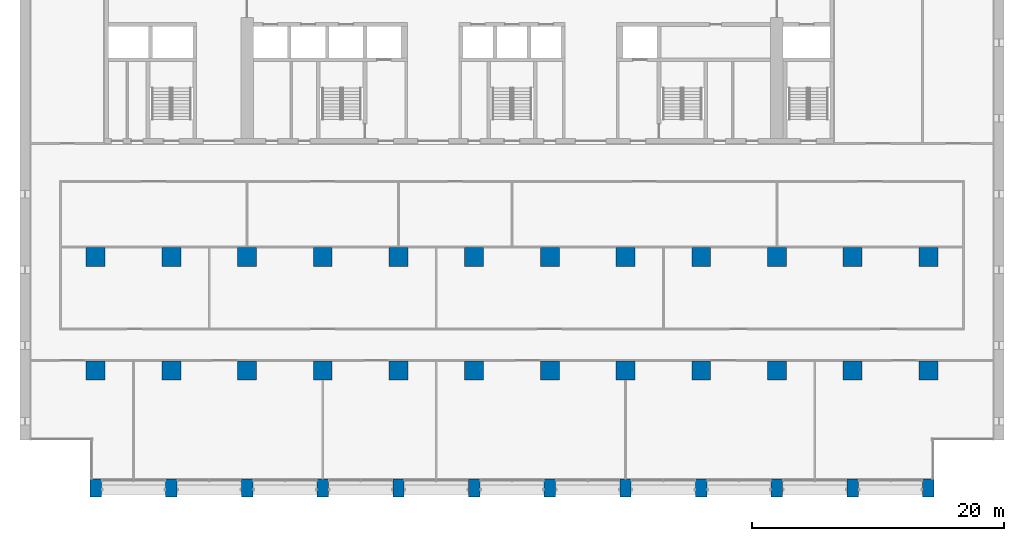
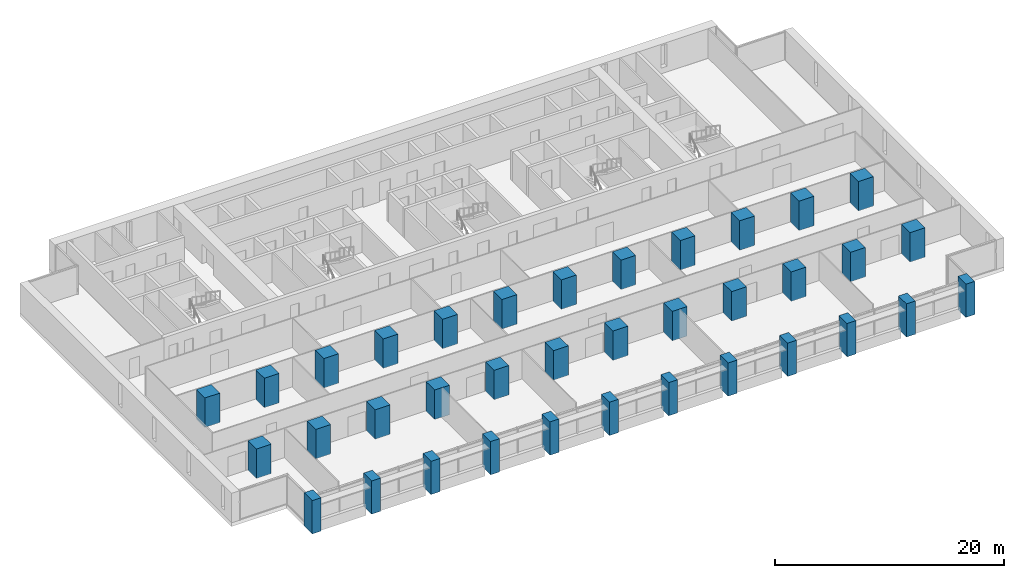
# One storey, part 1 of 18: 36 columns.
"""IFC4 building model written with IfcOpenShell, lengths in metres."""

from ifc_helpers import new_model, si_unit, direction, frame, origin, origin_2d, place, context, subcontext, project, spatial, rectangle, extrude, material, material_profile, profile_set, type_object, element, save


model = new_model("IFC4")

# Units and contexts
model_context = context("Model", 3, precision=1e-05, world=origin(), true_north=direction((0.0, 1.0)))
body_context = subcontext(model_context, "Body", "Model", "MODEL_VIEW")
ifc_project = project(units=[si_unit("LENGTHUNIT", "METRE"), si_unit("AREAUNIT", "SQUARE_METRE"), si_unit("VOLUMEUNIT", "CUBIC_METRE"), si_unit("PLANEANGLEUNIT", "RADIAN"), si_unit("MASSUNIT", "GRAM", prefix="KILO")], contexts=[model_context])

# Site, building, storey
site_placement = place(None, origin())
site = spatial("IfcSite", under=ifc_project, at=site_placement, CompositionType="ELEMENT")
building_placement = place(site_placement, origin())
building = spatial("IfcBuilding", under=site, at=building_placement, Name="Calvaro Tower", CompositionType="ELEMENT")
storey_placement = place(building_placement, frame((0.0, 0.0, 86.25)))
storey = spatial("IfcBuildingStorey", under=building, at=storey_placement, Name="L21", CompositionType="ELEMENT", Elevation=86.25)

# Columns
ifc_material_1 = material(Name="Concrete C80/95", Category="concrete")
ifc_material_profile_1 = material_profile(ifc_material_1, rectangle(XDim=1.5, YDim=1.5, at=origin_2d()), Name="RC 1500x1500")
ifc_profile_set_1 = profile_set([ifc_material_profile_1], Name="Concrete C80/95")
column_type_1 = type_object("IfcColumnType", Name="Column 1500x1500 C80/95", PredefinedType="COLUMN", material=ifc_profile_set_1)
for number, where, z_axis, x_axis, name in (
    (1, (6.0, 10.0, 0.0), (0.0, 0.0, 1.0), (1.0, 0.0, 0.0), "Column 2B"),
    (2, (6.0, 19.0, 0.0), (0.0, 0.0, 1.0), (1.0, 0.0, 0.0), "Column 2C"),
    (3, (12.0, 10.0, 0.0), (0.0, 0.0, 1.0), (1.0, 0.0, 0.0), "Column 3B"),
    (4, (12.0, 19.0, 0.0), (0.0, 0.0, 1.0), (1.0, 0.0, 0.0), "Column 3C"),
    (5, (18.0, 10.0, 0.0), (0.0, 0.0, 1.0), (1.0, 0.0, 0.0), "Column 4B"),
    (6, (18.0, 19.0, 0.0), (0.0, 0.0, 1.0), (1.0, 0.0, 0.0), "Column 4C"),
    (7, (24.0, 10.0, 0.0), (0.0, 0.0, 1.0), (1.0, 0.0, 0.0), "Column 5B"),
    (8, (24.0, 19.0, 0.0), (0.0, 0.0, 1.0), (1.0, 0.0, 0.0), "Column 5C"),
    (9, (30.0, 10.0, 0.0), (0.0, 0.0, 1.0), (1.0, 0.0, 0.0), "Column 6B"),
    (10, (30.0, 19.0, 0.0), (0.0, 0.0, 1.0), (1.0, 0.0, 0.0), "Column 6C"),
    (11, (36.0, 10.0, 0.0), (0.0, 0.0, 1.0), (1.0, 0.0, 0.0), "Column 7B"),
    (12, (36.0, 19.0, 0.0), (0.0, 0.0, 1.0), (1.0, 0.0, 0.0), "Column 7C"),
    (13, (42.0, 10.0, 0.0), (0.0, 0.0, 1.0), (1.0, 0.0, 0.0), "Column 8B"),
    (14, (42.0, 19.0, 0.0), (0.0, 0.0, 1.0), (1.0, 0.0, 0.0), "Column 8C"),
    (15, (48.0, 10.0, 0.0), (0.0, 0.0, 1.0), (1.0, 0.0, 0.0), "Column 9B"),
    (16, (48.0, 19.0, 0.0), (0.0, 0.0, 1.0), (1.0, 0.0, 0.0), "Column 9C"),
    (17, (54.0, 10.0, 0.0), (0.0, 0.0, 1.0), (1.0, 0.0, 0.0), "Column 10B"),
    (18, (54.0, 19.0, 0.0), (0.0, 0.0, 1.0), (1.0, 0.0, 0.0), "Column 10C"),
    (19, (60.0, 10.0, 0.0), (0.0, 0.0, 1.0), (1.0, 0.0, 0.0), "Column 11B"),
    (20, (60.0, 19.0, 0.0), (0.0, 0.0, 1.0), (1.0, 0.0, 0.0), "Column 11C"),
    (21, (66.0, 10.0, 0.0), (0.0, 0.0, 1.0), (1.0, 0.0, 0.0), "Column 12B"),
    (22, (66.0, 19.0, 0.0), (0.0, 0.0, 1.0), (1.0, 0.0, 0.0), "Column 12C"),
    (23, (72.0, 10.0, 0.0), (0.0, 0.0, 1.0), (1.0, 0.0, 0.0), "Column 13B"),
    (24, (72.0, 19.0, 0.0), (0.0, 0.0, 1.0), (1.0, 0.0, 0.0), "Column 13C"),
):
    element("IfcColumn", number, at=place(storey_placement, frame(where, z_axis=z_axis, x_axis=x_axis)), inside=storey, type_object=column_type_1, Name=name, PredefinedType="COLUMN", context=body_context, shape_type="SweptSolid", body=[
        extrude(rectangle(XDim=1.5, YDim=1.5, at=origin_2d()), origin(), (0.0, 0.0, 1.0), 3.14990234375),
    ])
ifc_material_2 = material(Name="Concrete C80/95", Category="concrete")
ifc_material_profile_2 = material_profile(ifc_material_2, rectangle(XDim=0.89990234375, YDim=1.39990234375, at=origin_2d()), Name="RC 900x1400")
ifc_profile_set_2 = profile_set([ifc_material_profile_2], Name="Concrete C80/95")
column_type_2 = type_object("IfcColumnType", Name="Pier 900x1400 C80/95", PredefinedType="COLUMN", material=ifc_profile_set_2)
for number, where, z_axis, x_axis, name in (
    (25, (6.0, 0.699951171875, -0.39990234375), (0.0, 0.0, 1.0), (1.0, 0.0, 0.0), "South pier 2"),
    (26, (12.0, 0.699951171875, -0.39990234375), (0.0, 0.0, 1.0), (1.0, 0.0, 0.0), "South pier 3"),
    (27, (18.0, 0.699951171875, -0.39990234375), (0.0, 0.0, 1.0), (1.0, 0.0, 0.0), "South pier 4"),
    (28, (24.0, 0.699951171875, -0.39990234375), (0.0, 0.0, 1.0), (1.0, 0.0, 0.0), "South pier 5"),
    (29, (30.0, 0.699951171875, -0.39990234375), (0.0, 0.0, 1.0), (1.0, 0.0, 0.0), "South pier 6"),
    (30, (36.0, 0.699951171875, -0.39990234375), (0.0, 0.0, 1.0), (1.0, 0.0, 0.0), "South pier 7"),
    (31, (42.0, 0.699951171875, -0.39990234375), (0.0, 0.0, 1.0), (1.0, 0.0, 0.0), "South pier 8"),
    (32, (48.0, 0.699951171875, -0.39990234375), (0.0, 0.0, 1.0), (1.0, 0.0, 0.0), "South pier 9"),
    (33, (54.0, 0.699951171875, -0.39990234375), (0.0, 0.0, 1.0), (1.0, 0.0, 0.0), "South pier 10"),
    (34, (60.0, 0.699951171875, -0.39990234375), (0.0, 0.0, 1.0), (1.0, 0.0, 0.0), "South pier 11"),
    (35, (66.0, 0.699951171875, -0.39990234375), (0.0, 0.0, 1.0), (1.0, 0.0, 0.0), "South pier 12"),
    (36, (72.0, 0.699951171875, -0.39990234375), (0.0, 0.0, 1.0), (1.0, 0.0, 0.0), "South pier 13"),
):
    element("IfcColumn", number, at=place(storey_placement, frame(where, z_axis=z_axis, x_axis=x_axis)), inside=storey, type_object=column_type_2, Name=name, PredefinedType="COLUMN", context=body_context, shape_type="SweptSolid", body=[
        extrude(rectangle(XDim=0.89990234375, YDim=1.39990234375, at=origin_2d()), origin(), (0.0, 0.0, 1.0), 3.5498046875),
    ])

save(model, "model.ifc")
